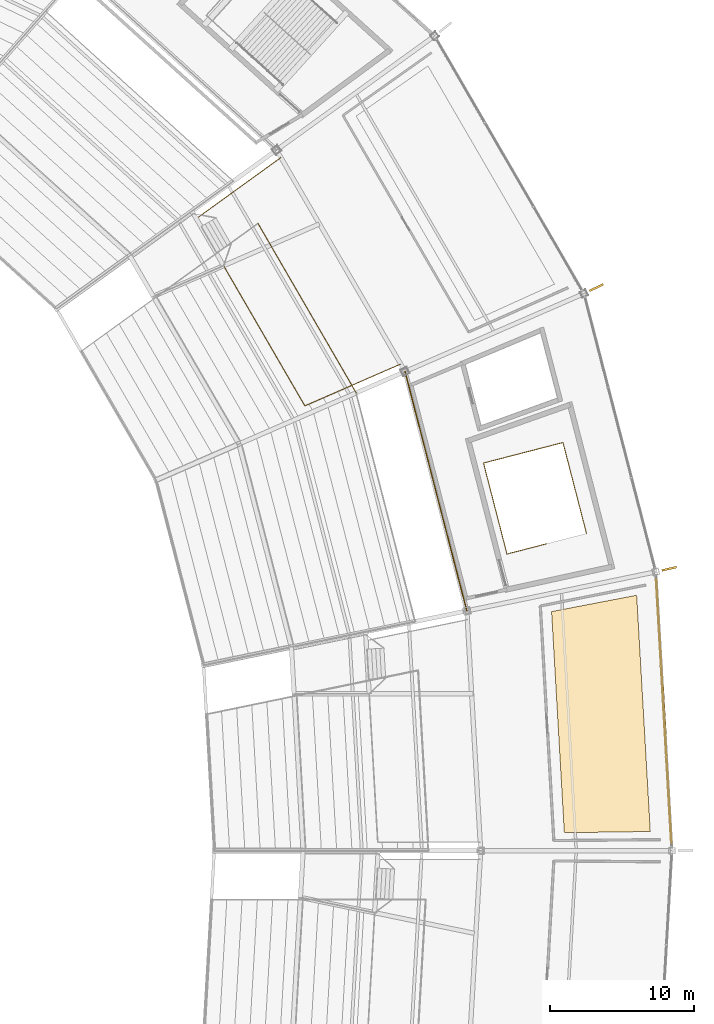
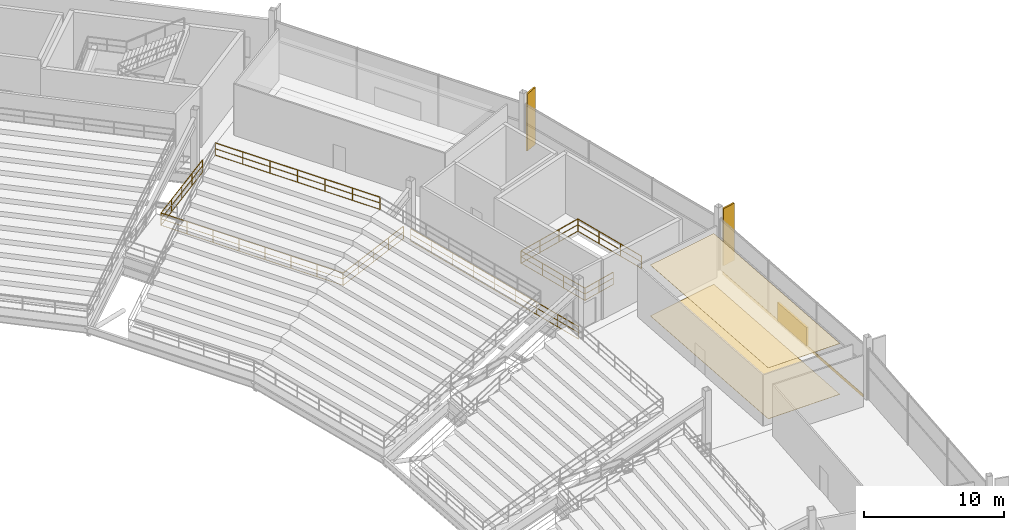
# One storey, part 180 of 186: 4 railings, 3 coverings, 3 shading devices.
"""IFC4 building model written with IfcOpenShell, lengths in metres."""

import ifcopenshell
import ifcopenshell.guid

model = None  # the IFC model being written
_history = None  # IfcOwnerHistory: only IFC2X3 demands one
_inside = {}  # id of a spatial element -> (the spatial element, [elements in it])
_under = {}  # id of a project, library or spatial element -> (it, [spatial elements below it])
_declared = {}  # id of a project -> (the project, [libraries it declares])
_typed = {}  # id of a type object -> (the type object, [elements of that type])
_made_of = {}  # id of a material, layer set ... -> (it, [elements and type objects made of it])


def new_model(schema):
    """Start an empty IFC model of exactly this schema.

    Asked for "IFC4X3", IfcOpenShell would pick the latest addendum, in which some entities
    have other attributes; the version numbers below select the first issue.
    IFC2X3 requires an IfcOwnerHistory on every rooted entity: one is made here for all.
    """
    global model, _history
    if schema == "IFC4X3":
        model = ifcopenshell.file(schema_version=(4, 3, 0, 0))
    else:
        model = ifcopenshell.file(schema=schema)
    _inside.clear()
    _under.clear()
    _declared.clear()
    _typed.clear()
    _made_of.clear()
    _history = None
    if model.schema == "IFC2X3":
        org = make("IfcOrganization", Name="unknown")
        user = make(
            "IfcPersonAndOrganization",
            ThePerson=make("IfcPerson", FamilyName="unknown"),
            TheOrganization=org,
        )
        app = make(
            "IfcApplication",
            ApplicationDeveloper=org,
            Version="unknown",
            ApplicationFullName="unknown",
            ApplicationIdentifier="unknown",
        )
        _history = make(
            "IfcOwnerHistory",
            OwningUser=user,
            OwningApplication=app,
            ChangeAction="ADDED",
            CreationDate=0,
        )
    return model


def make(cls, **values):
    """One entity of the class cls with the attributes given. An attribute that is None is left unset."""
    return model.create_entity(
        cls, **{name: value for name, value in values.items() if value is not None}
    )


def rooted(cls, **values):
    """An entity with a GlobalId (a new one), such as an element, a storey or a relation."""
    return make(cls, GlobalId=ifcopenshell.guid.new(), OwnerHistory=_history, **values)


def si_unit(unit_type, name, prefix=None):
    """IfcSIUnit, for example si_unit("LENGTHUNIT", "METRE", prefix="MILLI")."""
    return make("IfcSIUnit", UnitType=unit_type, Prefix=prefix, Name=name)


def assignment(units):
    """IfcUnitAssignment: the units of a project."""
    return None if units is None else make("IfcUnitAssignment", Units=units)


def point(xyz):
    """IfcCartesianPoint."""
    return None if xyz is None else make("IfcCartesianPoint", Coordinates=xyz)


def direction(xyz):
    """IfcDirection."""
    return None if xyz is None else make("IfcDirection", DirectionRatios=xyz)


def frame(location, z_axis=None, x_axis=None):
    """IfcAxis2Placement3D, a coordinate frame: its origin and axes. An axis left out is left unset."""
    return make(
        "IfcAxis2Placement3D",
        Location=point(location),
        Axis=direction(z_axis),
        RefDirection=direction(x_axis),
    )


def frame_2d(location, x_axis=None):
    """IfcAxis2Placement2D, a coordinate frame in the plane: its origin and x axis."""
    return make(
        "IfcAxis2Placement2D", Location=point(location), RefDirection=direction(x_axis)
    )


def origin():
    """The frame at (0, 0, 0) with its axes left unset."""
    return frame((0.0, 0.0, 0.0))


def origin_2d():
    """The frame at (0, 0) in the plane with its x axis left unset."""
    return frame_2d((0.0, 0.0))


def place(relative_to, where):
    """IfcLocalPlacement: puts the frame where relative to a parent placement (None: the world)."""
    return make(
        "IfcLocalPlacement", PlacementRelTo=relative_to, RelativePlacement=where
    )


def context(
    kind, dimensions, precision=None, world=None, true_north=None, identifier=None
):
    """IfcGeometricRepresentationContext, for example the 3D "Model" context."""
    return make(
        "IfcGeometricRepresentationContext",
        ContextIdentifier=identifier,
        ContextType=kind,
        CoordinateSpaceDimension=dimensions,
        Precision=precision,
        WorldCoordinateSystem=world,
        TrueNorth=true_north,
    )


def subcontext(parent, identifier, kind, view, scale=None):
    """IfcGeometricRepresentationSubContext, for example "Body" below "Model"."""
    return make(
        "IfcGeometricRepresentationSubContext",
        ContextIdentifier=identifier,
        ContextType=kind,
        ParentContext=parent,
        TargetScale=scale,
        TargetView=view,
    )


def project(units=None, contexts=None):
    """IfcProject with its units and contexts."""
    return rooted(
        "IfcProject",
        Name="project",
        RepresentationContexts=contexts,
        UnitsInContext=assignment(units),
    )


def spatial(cls, under=None, at=None, **own):
    """A site, building, storey or space (cls), placed at a placement, below another one or the project."""
    s = rooted(cls, ObjectPlacement=at, **own)
    if under is not None:
        _under.setdefault(under.id(), (under, []))[1].append(s)
    return s


def polyline(points):
    """IfcPolyline through the points."""
    return make("IfcPolyline", Points=[point(p) for p in points])


def profile(cls, at=None, kind="AREA", **sizes):
    """A parametric profile (cls). Its sizes go by their IFC names, for example OverallWidth=200.0."""
    return make(cls, ProfileType=kind, Position=at, **sizes)


def rectangle(**sizes):
    """IfcRectangleProfileDef."""
    return profile("IfcRectangleProfileDef", **sizes)


def outline(outer, holes=None, kind="AREA"):
    """IfcArbitraryClosedProfileDef: a profile drawn as a closed curve; with holes, ...WithVoids."""
    if holes is None:
        return make("IfcArbitraryClosedProfileDef", ProfileType=kind, OuterCurve=outer)
    return make(
        "IfcArbitraryProfileDefWithVoids",
        ProfileType=kind,
        OuterCurve=outer,
        InnerCurves=holes,
    )


def extrude(swept, where, along, depth):
    """IfcExtrudedAreaSolid: the profile swept, set in the frame where, extruded along a direction by depth."""
    return make(
        "IfcExtrudedAreaSolid",
        SweptArea=swept,
        Position=where,
        ExtrudedDirection=direction(along),
        Depth=depth,
    )


def shape(context_of_items, identifier, shape_type, items):
    """IfcShapeRepresentation: the items that make up one representation, for example the "Body"."""
    return make(
        "IfcShapeRepresentation",
        ContextOfItems=context_of_items,
        RepresentationIdentifier=identifier,
        RepresentationType=shape_type,
        Items=items,
    )


def material(Name=None, Category=None):
    """IfcMaterial."""
    return make("IfcMaterial", Name=Name, Category=Category)


def layer(
    of_material, thickness, ventilated=None, Name=None, Category=None, Priority=None
):
    """IfcMaterialLayer: one layer of a wall or slab, of a material (None: an air gap)."""
    return make(
        "IfcMaterialLayer",
        Material=of_material,
        LayerThickness=thickness,
        IsVentilated=ventilated,
        Name=Name,
        Category=Category,
        Priority=Priority,
    )


def layer_set(layers, Name=None):
    """IfcMaterialLayerSet."""
    return make("IfcMaterialLayerSet", MaterialLayers=layers, LayerSetName=Name)


def made_of(thing, what):
    """Note that an element or type object is made of a material, layer set ...; save() writes the relation."""
    if what is not None:
        _made_of.setdefault(what.id(), (what, []))[1].append(thing)
    return thing


def type_object(cls, material=None, **own):
    """A type object (cls), such as IfcWallType, which elements share."""
    return made_of(rooted(cls, **own), material)


def element(
    cls,
    number,
    at=None,
    inside=None,
    cuts=None,
    type_object=None,
    material=None,
    context=None,
    identifier="Body",
    shape_type=None,
    held_by="IfcProductDefinitionShape",
    body=None,
    shapes=None,
    **own,
):
    """One element of the class cls, such as IfcWall. Its Tag is "e" and its number.

    at: its placement. inside: the storey or other place that contains it. cuts: it is an
    opening in that element (IfcRelVoidsElement). A single representation is given by context,
    identifier, shape_type and body (its items); several are given by shapes. held_by: the class
    of the entity that holds the representations. save() writes the other relations.
    """
    e = rooted(cls, Tag="e%d" % number, ObjectPlacement=at, **own)
    if body is not None:
        shapes = [shape(context, identifier, shape_type, body)]
    if shapes is not None:
        e.Representation = make(held_by, Representations=shapes)
    if inside is not None:
        _inside.setdefault(inside.id(), (inside, []))[1].append(e)
    if cuts is not None:
        rooted(
            "IfcRelVoidsElement", RelatingBuildingElement=cuts, RelatedOpeningElement=e
        )
    if type_object is not None:
        _typed.setdefault(type_object.id(), (type_object, []))[1].append(e)
    return made_of(e, material)


def aggregate(whole, parts):
    """IfcRelAggregates: a whole, such as a stair, and the parts it consists of."""
    return rooted("IfcRelAggregates", RelatingObject=whole, RelatedObjects=parts)


def save(model, path):
    """Write the relations noted so far, then the file.

    IfcRelAggregates (storeys below a building ...), IfcRelContainedInSpatialStructure (elements
    in a storey), IfcRelDefinesByType, IfcRelAssociatesMaterial and IfcRelDeclares: one each for
    every whole, place, type object, material and project.
    """
    for whole, parts in _under.values():
        aggregate(whole, parts)
    for where, things in _inside.values():
        rooted(
            "IfcRelContainedInSpatialStructure",
            RelatedElements=things,
            RelatingStructure=where,
        )
    for kind, things in _typed.values():
        rooted("IfcRelDefinesByType", RelatedObjects=things, RelatingType=kind)
    for what, things in _made_of.values():
        rooted("IfcRelAssociatesMaterial", RelatedObjects=things, RelatingMaterial=what)
    for by, libraries in _declared.values():
        rooted("IfcRelDeclares", RelatingContext=by, RelatedDefinitions=libraries)
    model.write(path)


model = new_model("IFC4")

# Units and contexts
model_context = context("Model", 3, precision=1e-05, world=origin(), true_north=direction((0.0, 1.0)))
body_context = subcontext(model_context, "Body", "Model", "MODEL_VIEW")
ifc_project = project(units=[si_unit("LENGTHUNIT", "METRE"), si_unit("AREAUNIT", "SQUARE_METRE"), si_unit("VOLUMEUNIT", "CUBIC_METRE"), si_unit("PLANEANGLEUNIT", "RADIAN"), si_unit("MASSUNIT", "GRAM", prefix="KILO")], contexts=[model_context])

# Site, building, storey
site_placement = place(None, origin())
site = spatial("IfcSite", under=ifc_project, at=site_placement, CompositionType="ELEMENT")
building_placement = place(site_placement, origin())
building = spatial("IfcBuilding", under=site, at=building_placement, Name="Kazemori Nagisa Stadium", CompositionType="ELEMENT")
storey_placement = place(building_placement, frame((0.0, 0.0, 20.39990234375)))
storey = spatial("IfcBuildingStorey", under=building, at=storey_placement, Name="L04", CompositionType="ELEMENT", Elevation=20.39990234375)

# Coverings
ifc_material_1 = material(Name="Mineral-fibre acoustic board", Category="gypsum")
ifc_layer_1 = layer(ifc_material_1, 0.02001953125, Name="Mineral-fibre acoustic board", Category="gypsum")
ifc_layer_set_1 = layer_set([ifc_layer_1], Name="Mineral-fibre acoustic board")
covering_type_1 = type_object("IfcCoveringType", Name="Cov_CEIL", PredefinedType="CEILING", material=ifc_layer_set_1)
covering_1_placement = place(storey_placement, frame((0.0, 0.0, 4.4501953125)))
element("IfcCovering", 1, at=covering_1_placement, inside=storey, type_object=covering_type_1, Name="Acoustic ceiling L04-B01", PredefinedType="CEILING", context=body_context, shape_type="SweptSolid", body=[
    extrude(outline(polyline([(210.517822265625, 103.251953125), (209.63037109375, 118.6328125), (215.5498046875, 119.769287109375), (216.497802734375, 103.33740234375), (210.517822265625, 103.251953125)])), origin(), (0.0, 0.0, 1.0), 0.02001953125),
])
ifc_material_2 = material(Name="Porcelain stoneware tile", Category="masonry")
ifc_layer_2 = layer(ifc_material_2, 0.02490234375, Name="Porcelain stoneware tile", Category="masonry")
ifc_layer_set_2 = layer_set([ifc_layer_2], Name="Porcelain stoneware tile")
covering_type_2 = type_object("IfcCoveringType", Name="Cov_FLOOR", PredefinedType="FLOORING", material=ifc_layer_set_2)
covering_2_placement = place(storey_placement, origin())
element("IfcCovering", 2, at=covering_2_placement, inside=storey, type_object=covering_type_2, Name="Porcelain floor finish L04-B01", PredefinedType="FLOORING", context=body_context, shape_type="SweptSolid", body=[
    extrude(outline(polyline([(210.517822265625, 103.251953125), (209.63037109375, 118.6328125), (215.5498046875, 119.769287109375), (216.497802734375, 103.33740234375), (210.517822265625, 103.251953125)])), origin(), (0.0, 0.0, 1.0), 0.025146484375),
])
ifc_material_3 = material(Name="Anodised aluminium 6063-T5", Category="aluminium")
ifc_layer_3 = layer(ifc_material_3, 0.034912109375, Name="Anodised aluminium 6063-T5", Category="aluminium")
ifc_layer_set_3 = layer_set([ifc_layer_3], Name="Anodised aluminium 6063-T5")
covering_type_3 = type_object("IfcCoveringType", Name="Covering_CLAD", PredefinedType="CLADDING", material=ifc_layer_set_3)
covering_3_placement = place(storey_placement, frame((217.4404296875, 111.69873046875, -0.259765625), z_axis=(0.0, 0.0, 1.0), x_axis=(-0.057601670941, 0.998339645364, 0.0)))
element("IfcCovering", 3, at=covering_3_placement, inside=storey, type_object=covering_type_3, Name="Anodised fascia cladding L04-B01", PredefinedType="CLADDING", context=body_context, shape_type="SweptSolid", body=[
    extrude(rectangle(XDim=18.329833984375, YDim=0.0400390625, at=origin_2d()), origin(), (0.0, 0.0, 1.0), 0.260009765625),
])

# Shading devices
ifc_material_4 = material(Name="Aluminium 6063-T5 anodised", Category="aluminium")
shading_device_type_1 = type_object("IfcShadingDeviceType", Name="Fin_FN03", PredefinedType="USERDEFINED", material=ifc_material_4)
for number, where, z_axis, x_axis, name in (
    (4, (217.811767578125, 121.610107421875, 0.0), (0.0, 0.0, 1.0), (0.974927912182, 0.222520933954, 0.0), "Aerodynamic wave shading fin L04-02"),
    (5, (212.745361328125, 141.163818359375, 0.0), (0.0, 0.0, 1.0), (0.900968867905, 0.433883739113, 0.0), "Aerodynamic wave shading fin L04-03"),
):
    element("IfcShadingDevice", number, at=place(storey_placement, frame(where, z_axis=z_axis, x_axis=x_axis)), inside=storey, type_object=shading_device_type_1, Name=name, ObjectType="FIN", PredefinedType="USERDEFINED", context=body_context, shape_type="SweptSolid", body=[
        extrude(rectangle(XDim=1.050048828125, YDim=0.139892578125, at=origin_2d()), origin(), (0.0, 0.0, 1.0), 5.0),
    ])
shading_device_type_2 = type_object("IfcShadingDeviceType", Name="Louvre_LV02", PredefinedType="JALOUSIE", material=ifc_material_4)
shading_device_placement = place(storey_placement, frame((217.4404296875, 111.69873046875, -0.010009765625), z_axis=(0.0, 0.0, 1.0), x_axis=(-0.057601670941, 0.998339645364, 0.0)))
element("IfcShadingDevice", 6, at=shading_device_placement, inside=storey, type_object=shading_device_type_2, Name="Concourse ventilation louvre L04-B01", PredefinedType="JALOUSIE", context=body_context, shape_type="SweptSolid", body=[
    extrude(rectangle(XDim=3.800048828125, YDim=0.179931640625, at=origin_2d()), origin(), (0.0, 0.0, 1.0), 1.60009765625),
])

# Railings
ifc_material_5 = material(Name="Laminated safety glass and stainless steel SUS304", Category="steel")
railing_type_1 = type_object("IfcRailingType", Name="Rail_BAL", PredefinedType="BALUSTRADE", material=ifc_material_5)
railing_1_placement = place(storey_placement, frame((203.737548828125, 118.68212890625, 0.0)))
element("IfcRailing", 7, at=railing_1_placement, inside=storey, type_object=railing_type_1, Name="Upper concourse balustrade L04-B02", PredefinedType="BALUSTRADE", context=body_context, shape_type="SweptSolid", body=[
    extrude(rectangle(XDim=0.050048828125, YDim=0.050048828125, at=origin_2d()), frame((0.0, 0.0, 1.09521484375), z_axis=(-0.249974673676, 0.968252375427, 0.0), x_axis=(-0.968252375427, -0.249974673676, 0.0)), (0.0, 0.0, 1.0), 17.188232421875),
    extrude(rectangle(XDim=0.03759765625, YDim=0.03759765625, at=origin_2d()), frame((0.0, 0.0, 0.58251953125), z_axis=(-0.249974673676, 0.968252375427, 0.0), x_axis=(-0.968252375427, -0.249974673676, 0.0)), (0.0, 0.0, 1.0), 17.188232421875),
    extrude(rectangle(XDim=0.03759765625, YDim=0.03759765625, at=origin_2d()), frame((0.0, 0.0, 0.02490234375), z_axis=(-0.249974673676, 0.968252375427, 0.0), x_axis=(-0.968252375427, -0.249974673676, 0.0)), (0.0, 0.0, 1.0), 17.188232421875),
    extrude(rectangle(XDim=0.044921875, YDim=0.044921875, at=origin_2d()), origin(), (0.0, 0.0, 1.0), 1.070068359375),
    extrude(rectangle(XDim=0.044921875, YDim=0.044921875, at=origin_2d()), frame((-0.537109375, 2.080322265625, 0.0)), (0.0, 0.0, 1.0), 1.070068359375),
    extrude(rectangle(XDim=0.044921875, YDim=0.044921875, at=origin_2d()), frame((-1.07421875, 4.16064453125, 0.0)), (0.0, 0.0, 1.0), 1.070068359375),
    extrude(rectangle(XDim=0.044921875, YDim=0.044921875, at=origin_2d()), frame((-1.611328125, 6.240966796875, 0.0)), (0.0, 0.0, 1.0), 1.070068359375),
    extrude(rectangle(XDim=0.044921875, YDim=0.044921875, at=origin_2d()), frame((-2.1484375, 8.3212890625, 0.0)), (0.0, 0.0, 1.0), 1.070068359375),
    extrude(rectangle(XDim=0.044921875, YDim=0.044921875, at=origin_2d()), frame((-2.685302734375, 10.401611328125, 0.0)), (0.0, 0.0, 1.0), 1.070068359375),
    extrude(rectangle(XDim=0.044921875, YDim=0.044921875, at=origin_2d()), frame((-3.222412109375, 12.48193359375, 0.0)), (0.0, 0.0, 1.0), 1.070068359375),
    extrude(rectangle(XDim=0.044921875, YDim=0.044921875, at=origin_2d()), frame((-3.759521484375, 14.562255859375, 0.0)), (0.0, 0.0, 1.0), 1.070068359375),
    extrude(rectangle(XDim=0.044921875, YDim=0.044921875, at=origin_2d()), frame((-4.296630859375, 16.642578125, 0.0)), (0.0, 0.0, 1.0), 1.070068359375),
])
railing_2_placement = place(storey_placement, frame((199.14013671875, 135.84375, 0.0)))
element("IfcRailing", 8, at=railing_2_placement, inside=storey, type_object=railing_type_1, Name="Upper vomitory lobby balustrade B03", PredefinedType="BALUSTRADE", context=body_context, shape_type="SweptSolid", body=[
    extrude(rectangle(XDim=0.050048828125, YDim=0.050048828125, at=origin_2d()), frame((0.0, 0.0, 1.09521484375), z_axis=(-0.916678937459, -0.399624480756, 0.0), x_axis=(0.399624480756, -0.916678937459, 0.0)), (0.0, 0.0, 1.0), 7.2724609375),
    extrude(rectangle(XDim=0.03759765625, YDim=0.03759765625, at=origin_2d()), frame((0.0, 0.0, 0.58251953125), z_axis=(-0.916678937459, -0.399624480756, 0.0), x_axis=(0.399624480756, -0.916678937459, 0.0)), (0.0, 0.0, 1.0), 7.2724609375),
    extrude(rectangle(XDim=0.03759765625, YDim=0.03759765625, at=origin_2d()), frame((0.0, 0.0, 0.02490234375), z_axis=(-0.916678937459, -0.399624480756, 0.0), x_axis=(0.399624480756, -0.916678937459, 0.0)), (0.0, 0.0, 1.0), 7.2724609375),
    extrude(rectangle(XDim=0.050048828125, YDim=0.050048828125, at=origin_2d()), frame((-6.66650390625, -2.90625, 1.09521484375), z_axis=(-0.50160429459, 0.865097180465, 0.0), x_axis=(-0.865097180465, -0.50160429459, 0.0)), (0.0, 0.0, 1.0), 15.05908203125),
    extrude(rectangle(XDim=0.03759765625, YDim=0.03759765625, at=origin_2d()), frame((-6.66650390625, -2.90625, 0.58251953125), z_axis=(-0.50160429459, 0.865097180465, 0.0), x_axis=(-0.865097180465, -0.50160429459, 0.0)), (0.0, 0.0, 1.0), 15.05908203125),
    extrude(rectangle(XDim=0.03759765625, YDim=0.03759765625, at=origin_2d()), frame((-6.66650390625, -2.90625, 0.02490234375), z_axis=(-0.50160429459, 0.865097180465, 0.0), x_axis=(-0.865097180465, -0.50160429459, 0.0)), (0.0, 0.0, 1.0), 15.05908203125),
    extrude(rectangle(XDim=0.050048828125, YDim=0.050048828125, at=origin_2d()), frame((-14.22021484375, 10.121337890625, 1.09521484375), z_axis=(0.810790045476, 0.585337084214, 0.0), x_axis=(-0.585337084214, 0.810790045476, 0.0)), (0.0, 0.0, 1.0), 7.2607421875),
    extrude(rectangle(XDim=0.03759765625, YDim=0.03759765625, at=origin_2d()), frame((-14.22021484375, 10.121337890625, 0.58251953125), z_axis=(0.810790045476, 0.585337084214, 0.0), x_axis=(-0.585337084214, 0.810790045476, 0.0)), (0.0, 0.0, 1.0), 7.2607421875),
    extrude(rectangle(XDim=0.03759765625, YDim=0.03759765625, at=origin_2d()), frame((-14.22021484375, 10.121337890625, 0.02490234375), z_axis=(0.810790045476, 0.585337084214, 0.0), x_axis=(-0.585337084214, 0.810790045476, 0.0)), (0.0, 0.0, 1.0), 7.2607421875),
    extrude(rectangle(XDim=0.044921875, YDim=0.044921875, at=origin_2d()), origin(), (0.0, 0.0, 1.0), 1.070068359375),
    extrude(rectangle(XDim=0.044921875, YDim=0.044921875, at=origin_2d()), frame((-1.66650390625, -0.7265625, 0.0)), (0.0, 0.0, 1.0), 1.070068359375),
    extrude(rectangle(XDim=0.044921875, YDim=0.044921875, at=origin_2d()), frame((-3.333251953125, -1.453125, 0.0)), (0.0, 0.0, 1.0), 1.070068359375),
    extrude(rectangle(XDim=0.044921875, YDim=0.044921875, at=origin_2d()), frame((-5.0, -2.1796875, 0.0)), (0.0, 0.0, 1.0), 1.070068359375),
    extrude(rectangle(XDim=0.044921875, YDim=0.044921875, at=origin_2d()), frame((-6.66650390625, -2.90625, 0.0)), (0.0, 0.0, 1.0), 1.070068359375),
    extrude(rectangle(XDim=0.044921875, YDim=0.044921875, at=origin_2d()), frame((-7.74560546875, -1.045166015625, 0.0)), (0.0, 0.0, 1.0), 1.070068359375),
    extrude(rectangle(XDim=0.044921875, YDim=0.044921875, at=origin_2d()), frame((-8.82470703125, 0.81591796875, 0.0)), (0.0, 0.0, 1.0), 1.070068359375),
    extrude(rectangle(XDim=0.044921875, YDim=0.044921875, at=origin_2d()), frame((-9.90380859375, 2.677001953125, 0.0)), (0.0, 0.0, 1.0), 1.070068359375),
    extrude(rectangle(XDim=0.044921875, YDim=0.044921875, at=origin_2d()), frame((-10.98291015625, 4.5380859375, 0.0)), (0.0, 0.0, 1.0), 1.070068359375),
    extrude(rectangle(XDim=0.044921875, YDim=0.044921875, at=origin_2d()), frame((-12.06201171875, 6.399169921875, 0.0)), (0.0, 0.0, 1.0), 1.070068359375),
    extrude(rectangle(XDim=0.044921875, YDim=0.044921875, at=origin_2d()), frame((-13.14111328125, 8.26025390625, 0.0)), (0.0, 0.0, 1.0), 1.070068359375),
    extrude(rectangle(XDim=0.044921875, YDim=0.044921875, at=origin_2d()), frame((-14.22021484375, 10.121337890625, 0.0)), (0.0, 0.0, 1.0), 1.070068359375),
    extrude(rectangle(XDim=0.044921875, YDim=0.044921875, at=origin_2d()), frame((-12.74853515625, 11.183837890625, 0.0)), (0.0, 0.0, 1.0), 1.070068359375),
    extrude(rectangle(XDim=0.044921875, YDim=0.044921875, at=origin_2d()), frame((-11.27685546875, 12.246337890625, 0.0)), (0.0, 0.0, 1.0), 1.070068359375),
    extrude(rectangle(XDim=0.044921875, YDim=0.044921875, at=origin_2d()), frame((-9.804931640625, 13.308837890625, 0.0)), (0.0, 0.0, 1.0), 1.070068359375),
    extrude(rectangle(XDim=0.044921875, YDim=0.044921875, at=origin_2d()), frame((-8.333251953125, 14.371337890625, 0.0)), (0.0, 0.0, 1.0), 1.070068359375),
])
ifc_material_6 = material(Name="Galvanised powder-coated steel", Category="steel")
railing_type_2 = type_object("IfcRailingType", Name="Rail_GUARD", PredefinedType="GUARDRAIL", material=ifc_material_6)
railing_3_placement = place(storey_placement, frame((209.29296875, 123.353759765625, 0.0)))
element("IfcRailing", 9, at=railing_3_placement, inside=storey, type_object=railing_type_2, Name="Stair well perimeter guard ST07-L04", PredefinedType="GUARDRAIL", context=body_context, shape_type="SweptSolid", body=[
    extrude(rectangle(XDim=0.050048828125, YDim=0.050048828125, at=origin_2d()), frame((0.0, 0.0, 1.09521484375), z_axis=(-0.968254587534, -0.249966105142, 0.0), x_axis=(0.249966105142, -0.968254587534, 0.0)), (0.0, 0.0, 1.0), 2.85009765625),
    extrude(rectangle(XDim=0.03759765625, YDim=0.03759765625, at=origin_2d()), frame((0.0, 0.0, 0.58251953125), z_axis=(-0.968254587534, -0.249966105142, 0.0), x_axis=(0.249966105142, -0.968254587534, 0.0)), (0.0, 0.0, 1.0), 2.85009765625),
    extrude(rectangle(XDim=0.03759765625, YDim=0.03759765625, at=origin_2d()), frame((0.0, 0.0, 0.02490234375), z_axis=(-0.968254587534, -0.249966105142, 0.0), x_axis=(0.249966105142, -0.968254587534, 0.0)), (0.0, 0.0, 1.0), 2.85009765625),
    extrude(rectangle(XDim=0.050048828125, YDim=0.050048828125, at=origin_2d()), frame((-2.759521484375, -0.71240234375, 1.09521484375), z_axis=(-0.249941389051, 0.968260967942, 0.0), x_axis=(-0.968260967942, -0.249941389051, 0.0)), (0.0, 0.0, 1.0), 6.52490234375),
    extrude(rectangle(XDim=0.03759765625, YDim=0.03759765625, at=origin_2d()), frame((-2.759521484375, -0.71240234375, 0.58251953125), z_axis=(-0.249941389051, 0.968260967942, 0.0), x_axis=(-0.968260967942, -0.249941389051, 0.0)), (0.0, 0.0, 1.0), 6.52490234375),
    extrude(rectangle(XDim=0.03759765625, YDim=0.03759765625, at=origin_2d()), frame((-2.759521484375, -0.71240234375, 0.02490234375), z_axis=(-0.249941389051, 0.968260967942, 0.0), x_axis=(-0.968260967942, -0.249941389051, 0.0)), (0.0, 0.0, 1.0), 6.52490234375),
    extrude(rectangle(XDim=0.050048828125, YDim=0.050048828125, at=origin_2d()), frame((-4.390380859375, 5.60546875, 1.09521484375), z_axis=(0.968254587534, 0.249966105142, 0.0), x_axis=(-0.249966105142, 0.968254587534, 0.0)), (0.0, 0.0, 1.0), 5.699951171875),
    extrude(rectangle(XDim=0.03759765625, YDim=0.03759765625, at=origin_2d()), frame((-4.390380859375, 5.60546875, 0.58251953125), z_axis=(0.968254587534, 0.249966105142, 0.0), x_axis=(-0.249966105142, 0.968254587534, 0.0)), (0.0, 0.0, 1.0), 5.699951171875),
    extrude(rectangle(XDim=0.03759765625, YDim=0.03759765625, at=origin_2d()), frame((-4.390380859375, 5.60546875, 0.02490234375), z_axis=(0.968254587534, 0.249966105142, 0.0), x_axis=(-0.249966105142, 0.968254587534, 0.0)), (0.0, 0.0, 1.0), 5.699951171875),
    extrude(rectangle(XDim=0.050048828125, YDim=0.050048828125, at=origin_2d()), frame((1.128662109375, 7.0302734375, 1.09521484375), z_axis=(0.249941389051, -0.968260967942, 0.0), x_axis=(0.968260967942, 0.249941389051, 0.0)), (0.0, 0.0, 1.0), 6.52490234375),
    extrude(rectangle(XDim=0.03759765625, YDim=0.03759765625, at=origin_2d()), frame((1.128662109375, 7.0302734375, 0.58251953125), z_axis=(0.249941389051, -0.968260967942, 0.0), x_axis=(0.968260967942, 0.249941389051, 0.0)), (0.0, 0.0, 1.0), 6.52490234375),
    extrude(rectangle(XDim=0.03759765625, YDim=0.03759765625, at=origin_2d()), frame((1.128662109375, 7.0302734375, 0.02490234375), z_axis=(0.249941389051, -0.968260967942, 0.0), x_axis=(0.968260967942, 0.249941389051, 0.0)), (0.0, 0.0, 1.0), 6.52490234375),
    extrude(rectangle(XDim=0.044921875, YDim=0.044921875, at=origin_2d()), origin(), (0.0, 0.0, 1.0), 1.070068359375),
    extrude(rectangle(XDim=0.044921875, YDim=0.044921875, at=origin_2d()), frame((-1.3798828125, -0.356201171875, 0.0)), (0.0, 0.0, 1.0), 1.070068359375),
    extrude(rectangle(XDim=0.044921875, YDim=0.044921875, at=origin_2d()), frame((-2.759521484375, -0.71240234375, 0.0)), (0.0, 0.0, 1.0), 1.070068359375),
    extrude(rectangle(XDim=0.044921875, YDim=0.044921875, at=origin_2d()), frame((-3.30322265625, 1.3935546875, 0.0)), (0.0, 0.0, 1.0), 1.070068359375),
    extrude(rectangle(XDim=0.044921875, YDim=0.044921875, at=origin_2d()), frame((-3.8466796875, 3.49951171875, 0.0)), (0.0, 0.0, 1.0), 1.070068359375),
    extrude(rectangle(XDim=0.044921875, YDim=0.044921875, at=origin_2d()), frame((-4.390380859375, 5.60546875, 0.0)), (0.0, 0.0, 1.0), 1.070068359375),
    extrude(rectangle(XDim=0.044921875, YDim=0.044921875, at=origin_2d()), frame((-2.55078125, 6.080322265625, 0.0)), (0.0, 0.0, 1.0), 1.070068359375),
    extrude(rectangle(XDim=0.044921875, YDim=0.044921875, at=origin_2d()), frame((-0.7109375, 6.555419921875, 0.0)), (0.0, 0.0, 1.0), 1.070068359375),
    extrude(rectangle(XDim=0.044921875, YDim=0.044921875, at=origin_2d()), frame((1.128662109375, 7.0302734375, 0.0)), (0.0, 0.0, 1.0), 1.070068359375),
    extrude(rectangle(XDim=0.044921875, YDim=0.044921875, at=origin_2d()), frame((1.67236328125, 4.92431640625, 0.0)), (0.0, 0.0, 1.0), 1.070068359375),
    extrude(rectangle(XDim=0.044921875, YDim=0.044921875, at=origin_2d()), frame((2.2158203125, 2.818359375, 0.0)), (0.0, 0.0, 1.0), 1.070068359375),
    extrude(rectangle(XDim=0.044921875, YDim=0.044921875, at=origin_2d()), frame((2.759521484375, 0.71240234375, 0.0)), (0.0, 0.0, 1.0), 1.070068359375),
])
railing_4_placement = place(storey_placement, frame((196.045654296875, 133.844482421875, 4.840087890625)))
element("IfcRailing", 10, at=railing_4_placement, inside=storey, type_object=railing_type_2, Name="Upper tier rear guard B03", PredefinedType="GUARDRAIL", context=body_context, shape_type="SweptSolid", body=[
    extrude(rectangle(XDim=0.050048828125, YDim=0.050048828125, at=origin_2d()), frame((0.0, 0.0, 1.09521484375), z_axis=(-0.501620449717, 0.86508781313, 0.0), x_axis=(-0.86508781313, -0.501620449717, 0.0)), (0.0, 0.0, 1.0), 13.621337890625),
    extrude(rectangle(XDim=0.03759765625, YDim=0.03759765625, at=origin_2d()), frame((0.0, 0.0, 0.58251953125), z_axis=(-0.501620449717, 0.86508781313, 0.0), x_axis=(-0.86508781313, -0.501620449717, 0.0)), (0.0, 0.0, 1.0), 13.621337890625),
    extrude(rectangle(XDim=0.03759765625, YDim=0.03759765625, at=origin_2d()), frame((0.0, 0.0, 0.02490234375), z_axis=(-0.501620449717, 0.86508781313, 0.0), x_axis=(-0.86508781313, -0.501620449717, 0.0)), (0.0, 0.0, 1.0), 13.621337890625),
    extrude(rectangle(XDim=0.044921875, YDim=0.044921875, at=origin_2d()), origin(), (0.0, 0.0, 1.0), 1.070068359375),
    extrude(rectangle(XDim=0.044921875, YDim=0.044921875, at=origin_2d()), frame((-1.138671875, 1.9638671875, 0.0)), (0.0, 0.0, 1.0), 1.070068359375),
    extrude(rectangle(XDim=0.044921875, YDim=0.044921875, at=origin_2d()), frame((-2.277587890625, 3.927978515625, 0.0)), (0.0, 0.0, 1.0), 1.070068359375),
    extrude(rectangle(XDim=0.044921875, YDim=0.044921875, at=origin_2d()), frame((-3.41650390625, 5.891845703125, 0.0)), (0.0, 0.0, 1.0), 1.070068359375),
    extrude(rectangle(XDim=0.044921875, YDim=0.044921875, at=origin_2d()), frame((-4.55517578125, 7.855712890625, 0.0)), (0.0, 0.0, 1.0), 1.070068359375),
    extrude(rectangle(XDim=0.044921875, YDim=0.044921875, at=origin_2d()), frame((-5.69384765625, 9.81982421875, 0.0)), (0.0, 0.0, 1.0), 1.070068359375),
    extrude(rectangle(XDim=0.044921875, YDim=0.044921875, at=origin_2d()), frame((-6.832763671875, 11.78369140625, 0.0)), (0.0, 0.0, 1.0), 1.070068359375),
])

save(model, "model.ifc")
